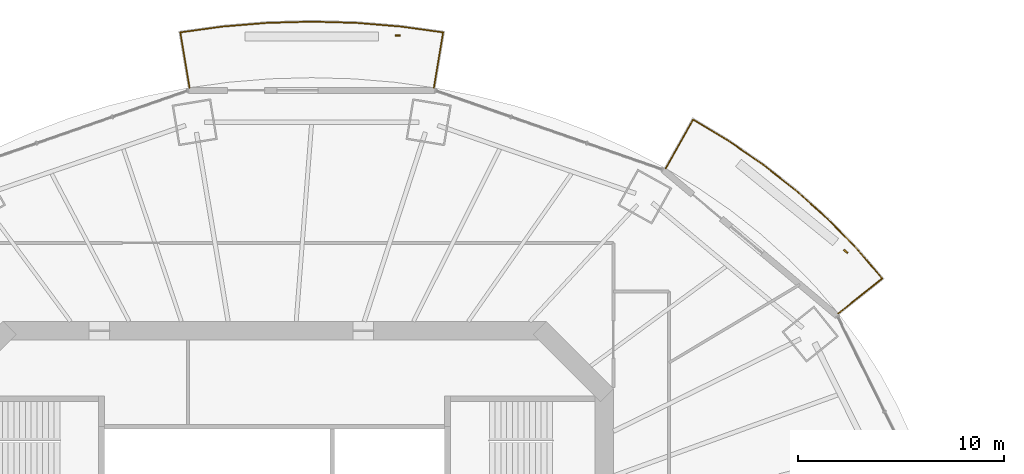
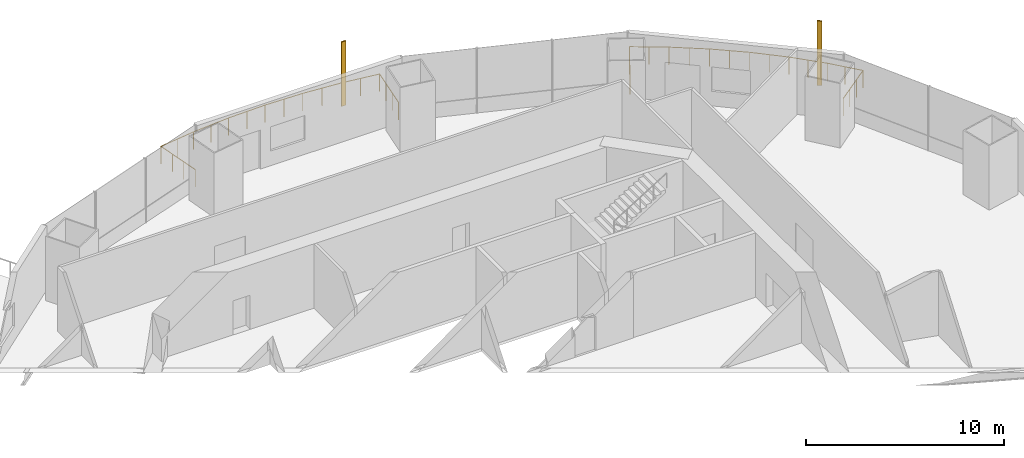
# One storey, part 17 of 19: 2 railings, 2 shading devices.
"""IFC4 building model written with IfcOpenShell, lengths in metres."""

from ifc_helpers import new_model, si_unit, direction, frame, origin, origin_2d, place, context, subcontext, project, spatial, rectangle, circle, extrude, material, material_profile, profile_set, type_object, element, save


model = new_model("IFC4")

# Units and contexts
model_context = context("Model", 3, precision=1e-05, world=origin(), true_north=direction((0.0, 1.0)))
body_context = subcontext(model_context, "Body", "Model", "MODEL_VIEW")
ifc_project = project(units=[si_unit("LENGTHUNIT", "METRE"), si_unit("AREAUNIT", "SQUARE_METRE"), si_unit("VOLUMEUNIT", "CUBIC_METRE"), si_unit("PLANEANGLEUNIT", "RADIAN"), si_unit("MASSUNIT", "GRAM", prefix="KILO")], contexts=[model_context])

# Site, building, storey
site_placement = place(None, origin())
site = spatial("IfcSite", under=ifc_project, at=site_placement, CompositionType="ELEMENT")
building_placement = place(site_placement, origin())
building = spatial("IfcBuilding", under=site, at=building_placement, Name="Marenthal Gate Tower", CompositionType="ELEMENT")
storey_placement = place(building_placement, frame((0.0, 0.0, 227.449951171875)))
storey = spatial("IfcBuildingStorey", under=building, at=storey_placement, Name="L50", CompositionType="ELEMENT", Elevation=227.449951171875)

# Railings
ifc_material_1 = material(Name="Stainless steel", Category="steel")
railing_type = type_object("IfcRailingType", Name="Balcony guard 1100", PredefinedType="GUARDRAIL", material=ifc_material_1)
railing_1_placement = place(storey_placement, frame((18.98583984375, 20.883544921875, 0.0)))
element("IfcRailing", 1, at=railing_1_placement, inside=storey, type_object=railing_type, Name="Balcony guard L50 bay 2", PredefinedType="GUARDRAIL", context=body_context, shape_type="SweptSolid", body=[
    extrude(circle(Radius=0.02392578125, at=origin_2d()), frame((0.0, 0.0, 1.076171875), z_axis=(0.489798972247, 0.871711126711, -0.014719998433), x_axis=(-0.871805582527, 0.489852045289, 0.0)), (0.0, 0.0, 1.0), 2.719970703125),
    extrude(circle(Radius=0.02392578125, at=origin_2d()), frame((1.332275390625, 2.37109375, 1.0361328125), z_axis=(0.856088913712, -0.516828571017, 0.0), x_axis=(0.516828571017, 0.856088913712, 0.0)), (0.0, 0.0, 1.0), 1.9990234375),
    extrude(circle(Radius=0.02392578125, at=origin_2d()), frame((3.043701171875, 1.337890625, 1.0361328125), z_axis=(0.823243306464, -0.567688698462, 0.0), x_axis=(0.567688698462, 0.823243306464, 0.0)), (0.0, 0.0, 1.0), 2.0625),
    extrude(circle(Radius=0.02392578125, at=origin_2d()), frame((4.74169921875, 0.1669921875, 1.0361328125), z_axis=(0.785792171054, -0.618490633648, 0.0), x_axis=(0.618490633648, 0.785792171054, 0.0)), (0.0, 0.0, 1.0), 2.0458984375),
    extrude(circle(Radius=0.02392578125, at=origin_2d()), frame((6.349365234375, -1.098388671875, 1.0361328125), z_axis=(0.744340445793, -0.667800344981, 0.0), x_axis=(0.667800344981, 0.744340445793, 0.0)), (0.0, 0.0, 1.0), 2.028564453125),
    extrude(circle(Radius=0.02392578125, at=origin_2d()), frame((7.859375, -2.453125, 1.0361328125), z_axis=(0.698745300924, -0.715370536461, 0.0), x_axis=(0.715370536461, 0.698745300924, 0.0)), (0.0, 0.0, 1.0), 2.01171875),
    extrude(circle(Radius=0.02392578125, at=origin_2d()), frame((9.26513671875, -3.892333984375, 1.0361328125), z_axis=(0.649961690438, -0.7599669736, 0.0), x_axis=(0.7599669736, 0.649961690438, 0.0)), (0.0, 0.0, 1.0), 1.915283203125),
    extrude(circle(Radius=0.02392578125, at=origin_2d()), frame((10.510009765625, -5.347900390625, 1.0361328125), z_axis=(-0.782855020802, -0.62203005264, 0.014718356461), x_axis=(0.622097438779, -0.78293982953, 0.0)), (0.0, 0.0, 1.0), 2.720458984375),
    extrude(circle(Radius=0.02099609375, at=origin_2d()), origin(), (0.0, 0.0, 1.0), 1.052001953125),
    extrude(circle(Radius=0.02099609375, at=origin_2d()), frame((0.444091796875, 0.790283203125, -0.013427734375)), (0.0, 0.0, 1.0), 1.052001953125),
    extrude(circle(Radius=0.02099609375, at=origin_2d()), frame((0.88818359375, 1.580810546875, -0.026611328125)), (0.0, 0.0, 1.0), 1.052001953125),
    extrude(circle(Radius=0.02099609375, at=origin_2d()), frame((1.332275390625, 2.37109375, -0.0400390625)), (0.0, 0.0, 1.0), 1.052001953125),
    extrude(circle(Radius=0.02099609375, at=origin_2d()), frame((2.18798828125, 1.8544921875, -0.0400390625)), (0.0, 0.0, 1.0), 1.052001953125),
    extrude(circle(Radius=0.02099609375, at=origin_2d()), frame((3.043701171875, 1.337890625, -0.0400390625)), (0.0, 0.0, 1.0), 1.052001953125),
    extrude(circle(Radius=0.02099609375, at=origin_2d()), frame((3.892578125, 0.75244140625, -0.0400390625)), (0.0, 0.0, 1.0), 1.052001953125),
    extrude(circle(Radius=0.02099609375, at=origin_2d()), frame((4.74169921875, 0.1669921875, -0.0400390625)), (0.0, 0.0, 1.0), 1.052001953125),
    extrude(circle(Radius=0.02099609375, at=origin_2d()), frame((5.54541015625, -0.4658203125, -0.0400390625)), (0.0, 0.0, 1.0), 1.052001953125),
    extrude(circle(Radius=0.02099609375, at=origin_2d()), frame((6.349365234375, -1.098388671875, -0.0400390625)), (0.0, 0.0, 1.0), 1.052001953125),
    extrude(circle(Radius=0.02099609375, at=origin_2d()), frame((7.1044921875, -1.77587890625, -0.0400390625)), (0.0, 0.0, 1.0), 1.052001953125),
    extrude(circle(Radius=0.02099609375, at=origin_2d()), frame((7.859375, -2.453125, -0.0400390625)), (0.0, 0.0, 1.0), 1.052001953125),
    extrude(circle(Radius=0.02099609375, at=origin_2d()), frame((8.562255859375, -3.1728515625, -0.0400390625)), (0.0, 0.0, 1.0), 1.052001953125),
    extrude(circle(Radius=0.02099609375, at=origin_2d()), frame((9.26513671875, -3.892333984375, -0.0400390625)), (0.0, 0.0, 1.0), 1.052001953125),
    extrude(circle(Radius=0.02099609375, at=origin_2d()), frame((9.8876953125, -4.6201171875, -0.0400390625)), (0.0, 0.0, 1.0), 1.052001953125),
    extrude(circle(Radius=0.02099609375, at=origin_2d()), frame((10.510009765625, -5.347900390625, -0.0400390625)), (0.0, 0.0, 1.0), 1.052001953125),
    extrude(circle(Radius=0.02099609375, at=origin_2d()), frame((9.800048828125, -5.911865234375, -0.026611328125)), (0.0, 0.0, 1.0), 1.052001953125),
    extrude(circle(Radius=0.02099609375, at=origin_2d()), frame((9.09033203125, -6.47607421875, -0.013427734375)), (0.0, 0.0, 1.0), 1.052001953125),
    extrude(circle(Radius=0.02099609375, at=origin_2d()), frame((8.38037109375, -7.0400390625, 0.0)), (0.0, 0.0, 1.0), 1.052001953125),
])
railing_2_placement = place(storey_placement, frame((-4.13134765625, 24.80078125, 0.0)))
element("IfcRailing", 2, at=railing_2_placement, inside=storey, type_object=railing_type, Name="Balcony guard L50 bay 4", PredefinedType="GUARDRAIL", context=body_context, shape_type="SweptSolid", body=[
    extrude(circle(Radius=0.02392578125, at=origin_2d()), frame((0.0, 0.0, 1.076171875), z_axis=(-0.164963320777, 0.986189863276, -0.014719251691), x_axis=(-0.986296712796, -0.164981193859, 0.0)), (0.0, 0.0, 1.0), 2.72021484375),
    extrude(circle(Radius=0.02392578125, at=origin_2d()), frame((-0.44873046875, 2.6826171875, 1.0361328125), z_axis=(0.990646325062, 0.136454602859, 0.0), x_axis=(-0.136454602859, 0.990646325062, 0.0)), (0.0, 0.0, 1.0), 2.0791015625),
    extrude(circle(Radius=0.02392578125, at=origin_2d()), frame((1.61083984375, 2.96630859375, 1.0361328125), z_axis=(0.996591524786, 0.082494440564, 0.0), x_axis=(-0.082494440564, 0.996591524786, 0.0)), (0.0, 0.0, 1.0), 2.163330078125),
    extrude(circle(Radius=0.02392578125, at=origin_2d()), frame((3.766845703125, 3.144775390625, 1.0361328125), z_axis=(0.999624610173, 0.027397787082, 0.0), x_axis=(-0.027397787082, 0.999624610173, 0.0)), (0.0, 0.0, 1.0), 2.165283203125),
    extrude(circle(Radius=0.02392578125, at=origin_2d()), frame((5.931396484375, 3.2041015625, 1.0361328125), z_axis=(0.999624610173, -0.027397787082, 0.0), x_axis=(0.027397787082, 0.999624610173, 0.0)), (0.0, 0.0, 1.0), 2.165283203125),
    extrude(circle(Radius=0.02392578125, at=origin_2d()), frame((8.095947265625, 3.144775390625, 1.0361328125), z_axis=(0.996591524786, -0.082494440564, 0.0), x_axis=(0.082494440564, 0.996591524786, 0.0)), (0.0, 0.0, 1.0), 2.163330078125),
    extrude(circle(Radius=0.02392578125, at=origin_2d()), frame((10.251953125, 2.96630859375, 1.0361328125), z_axis=(0.990646325062, -0.136454602859, 0.0), x_axis=(0.136454602859, 0.990646325062, 0.0)), (0.0, 0.0, 1.0), 2.0791015625),
    extrude(circle(Radius=0.02392578125, at=origin_2d()), frame((12.3115234375, 2.6826171875, 1.0361328125), z_axis=(-0.164963320777, -0.986189863276, 0.014719251691), x_axis=(0.986296712796, -0.164981193859, 0.0)), (0.0, 0.0, 1.0), 2.72021484375),
    extrude(circle(Radius=0.02099609375, at=origin_2d()), origin(), (0.0, 0.0, 1.0), 1.052001953125),
    extrude(circle(Radius=0.02099609375, at=origin_2d()), frame((-0.149658203125, 0.894287109375, -0.013427734375)), (0.0, 0.0, 1.0), 1.052001953125),
    extrude(circle(Radius=0.02099609375, at=origin_2d()), frame((-0.299072265625, 1.788330078125, -0.026611328125)), (0.0, 0.0, 1.0), 1.052001953125),
    extrude(circle(Radius=0.02099609375, at=origin_2d()), frame((-0.44873046875, 2.6826171875, -0.0400390625)), (0.0, 0.0, 1.0), 1.052001953125),
    extrude(circle(Radius=0.02099609375, at=origin_2d()), frame((0.5810546875, 2.824462890625, -0.0400390625)), (0.0, 0.0, 1.0), 1.052001953125),
    extrude(circle(Radius=0.02099609375, at=origin_2d()), frame((1.61083984375, 2.96630859375, -0.0400390625)), (0.0, 0.0, 1.0), 1.052001953125),
    extrude(circle(Radius=0.02099609375, at=origin_2d()), frame((2.68896484375, 3.0556640625, -0.0400390625)), (0.0, 0.0, 1.0), 1.052001953125),
    extrude(circle(Radius=0.02099609375, at=origin_2d()), frame((3.766845703125, 3.144775390625, -0.0400390625)), (0.0, 0.0, 1.0), 1.052001953125),
    extrude(circle(Radius=0.02099609375, at=origin_2d()), frame((4.84912109375, 3.17431640625, -0.0400390625)), (0.0, 0.0, 1.0), 1.052001953125),
    extrude(circle(Radius=0.02099609375, at=origin_2d()), frame((5.931396484375, 3.2041015625, -0.0400390625)), (0.0, 0.0, 1.0), 1.052001953125),
    extrude(circle(Radius=0.02099609375, at=origin_2d()), frame((7.013671875, 3.17431640625, -0.0400390625)), (0.0, 0.0, 1.0), 1.052001953125),
    extrude(circle(Radius=0.02099609375, at=origin_2d()), frame((8.095947265625, 3.144775390625, -0.0400390625)), (0.0, 0.0, 1.0), 1.052001953125),
    extrude(circle(Radius=0.02099609375, at=origin_2d()), frame((9.173828125, 3.0556640625, -0.0400390625)), (0.0, 0.0, 1.0), 1.052001953125),
    extrude(circle(Radius=0.02099609375, at=origin_2d()), frame((10.251953125, 2.96630859375, -0.0400390625)), (0.0, 0.0, 1.0), 1.052001953125),
    extrude(circle(Radius=0.02099609375, at=origin_2d()), frame((11.28173828125, 2.824462890625, -0.0400390625)), (0.0, 0.0, 1.0), 1.052001953125),
    extrude(circle(Radius=0.02099609375, at=origin_2d()), frame((12.3115234375, 2.6826171875, -0.0400390625)), (0.0, 0.0, 1.0), 1.052001953125),
    extrude(circle(Radius=0.02099609375, at=origin_2d()), frame((12.161865234375, 1.788330078125, -0.026611328125)), (0.0, 0.0, 1.0), 1.052001953125),
    extrude(circle(Radius=0.02099609375, at=origin_2d()), frame((12.012451171875, 0.894287109375, -0.013427734375)), (0.0, 0.0, 1.0), 1.052001953125),
    extrude(circle(Radius=0.02099609375, at=origin_2d()), frame((11.86279296875, 0.0, 0.0)), (0.0, 0.0, 1.0), 1.052001953125),
])

# Shading devices
ifc_material_2 = material(Name="Terracotta", Category="masonry")
ifc_material_profile = material_profile(ifc_material_2, rectangle(XDim=0.25, YDim=0.080078125, at=origin_2d()), Name="Terracotta baguette 250x80")
ifc_profile_set = profile_set([ifc_material_profile], Name="Terracotta")
shading_device_type = type_object("IfcShadingDeviceType", Name="Terracotta BAGUETTE SCREEN 250x80", PredefinedType="USERDEFINED", material=ifc_profile_set)
for number, where, z_axis, x_axis, name in (
    (3, (27.72314453125, 16.851318359375, -0.0400390625), (0.0, 0.0, 1.0), (-0.765550876952, 0.643375360732, 0.0), "Terracotta BAGUETTE L50 bay 2L"),
    (4, (5.971923828125, 27.3291015625, -0.0400390625), (0.0, 0.0, 1.0), (-1.0, 0.0, 0.0), "Terracotta BAGUETTE L50 bay 4L"),
):
    element("IfcShadingDevice", number, at=place(storey_placement, frame(where, z_axis=z_axis, x_axis=x_axis)), inside=storey, type_object=shading_device_type, Name=name, ObjectType="BAGUETTE SCREEN", PredefinedType="USERDEFINED", context=body_context, shape_type="SweptSolid", body=[
        extrude(rectangle(XDim=0.25, YDim=0.080078125, at=origin_2d()), origin(), (0.0, 0.0, 1.0), 3.969970703125),
    ])

save(model, "model.ifc")
